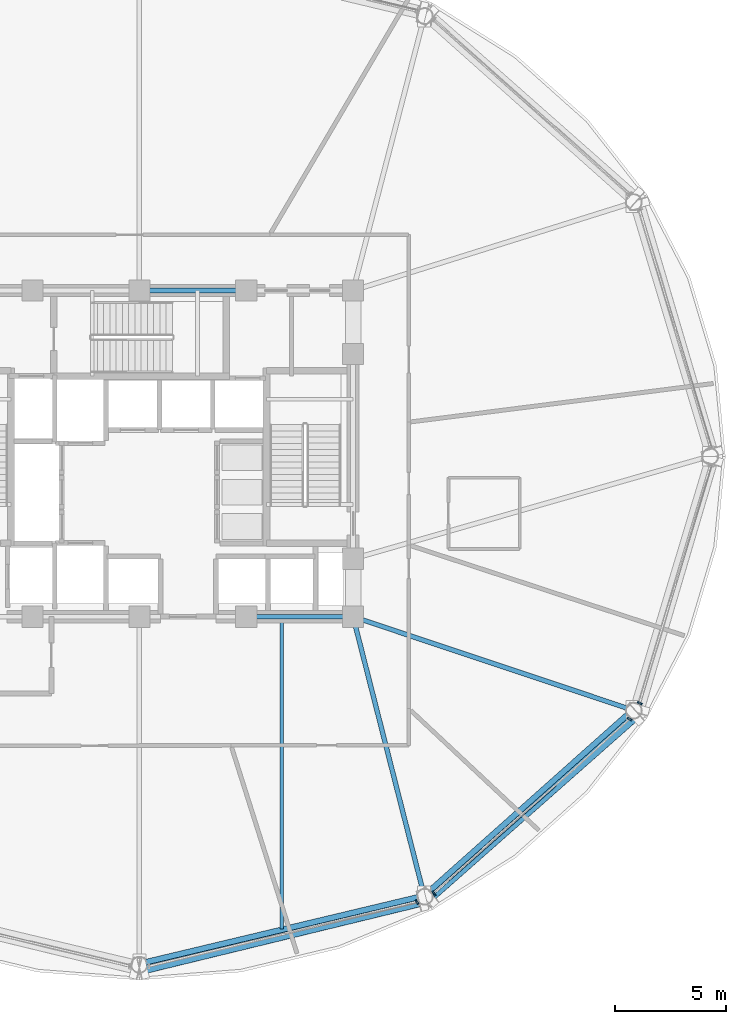
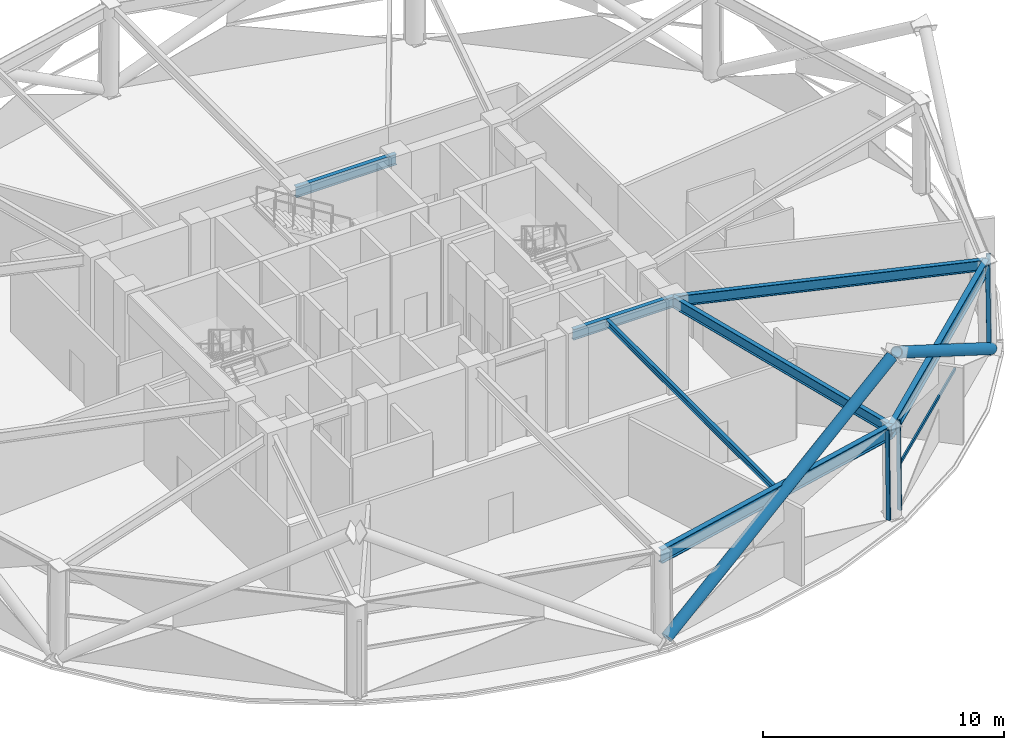
# One storey, part 4 of 17: 7 beams, 7 members, 3 elements without a shape of their own.
"""IFC4 building model written with IfcOpenShell, lengths in metres."""

from ifc_helpers import new_model, si_unit, direction, frame, origin, origin_2d, place, context, subcontext, project, spatial, hollow_rectangle, hollow_circle, i_section, extrude, material, layer, layer_set, material_profile, profile_set, type_object, element, aggregate, save


model = new_model("IFC4")

# Units and contexts
model_context = context("Model", 3, precision=1e-05, world=origin(), true_north=direction((0.0, 1.0)))
body_context = subcontext(model_context, "Body", "Model", "MODEL_VIEW")
ifc_project = project(units=[si_unit("LENGTHUNIT", "METRE"), si_unit("AREAUNIT", "SQUARE_METRE"), si_unit("VOLUMEUNIT", "CUBIC_METRE"), si_unit("PLANEANGLEUNIT", "RADIAN"), si_unit("MASSUNIT", "GRAM", prefix="KILO")], contexts=[model_context])

# Site, building, storey
site_placement = place(None, origin())
site = spatial("IfcSite", under=ifc_project, at=site_placement, CompositionType="ELEMENT")
building_placement = place(site_placement, origin())
building = spatial("IfcBuilding", under=site, at=building_placement, Name="Vantalir Tower", CompositionType="ELEMENT")
storey_placement = place(building_placement, frame((0.0, 0.0, 96.14990234375)))
storey = spatial("IfcBuildingStorey", under=building, at=storey_placement, Name="L23", CompositionType="ELEMENT", Elevation=96.14990234375)

# Beams
ifc_material_1 = material(Name="Steel S355", Category="steel")
ifc_material_profile_1 = material_profile(ifc_material_1, i_section(OverallWidth=0.166015625, OverallDepth=0.306884765625, WebThickness=0.006591796875, FlangeThickness=0.01171875, at=origin_2d()), Name="Steel S355")
ifc_profile_set_1 = profile_set([ifc_material_profile_1], Name="Steel S355")
beam_type_1 = type_object("IfcBeamType", Name="BM-JS-305x165", PredefinedType="JOIST", material=ifc_profile_set_1)
beam_1_placement = place(storey_placement, frame((37.89697265625, 3.782958984375, 4.466064453125), z_axis=(0.0, 1.0, 0.0), x_axis=(-1.0, 0.0, 0.0)))
element("IfcBeam", 1, at=beam_1_placement, inside=storey, type_object=beam_type_1, Name="L23 Composite Trim Joist 02", PredefinedType="JOIST", context=body_context, shape_type="SweptSolid", body=[
    extrude(i_section(OverallWidth=0.166015625, OverallDepth=0.306884765625, WebThickness=0.006591796875, FlangeThickness=0.01171875, at=origin_2d()), origin(), (0.0, 0.0, 1.0), 13.971923828125),
])
ifc_material_profile_2 = material_profile(ifc_material_1, i_section(OverallWidth=0.2109375, OverallDepth=0.5390625, WebThickness=0.01171875, FlangeThickness=0.018798828125, at=origin_2d()), Name="Steel S355")
ifc_profile_set_2 = profile_set([ifc_material_profile_2], Name="Steel S355")
beam_type_2 = type_object("IfcBeamType", Name="BM-RB-533x210", PredefinedType="BEAM", material=ifc_profile_set_2)
for number, where, z_axis, x_axis, name in (
    (2, (36.300048828125, 17.800048828125, 4.35009765625), (1.0, 0.0, 0.0), (0.0, 1.0, 0.0), "L23 Core Coupling Girder 04"),
    (3, (36.300048828125, 32.449951171875, 4.35009765625), (-1.0, 0.0, 0.0), (0.0, -1.0, 0.0), "L23 Core Coupling Girder 09"),
):
    element("IfcBeam", number, at=place(storey_placement, frame(where, z_axis=z_axis, x_axis=x_axis)), inside=storey, type_object=beam_type_2, Name=name, PredefinedType="BEAM", context=body_context, shape_type="SweptSolid", body=[
        extrude(i_section(OverallWidth=0.2109375, OverallDepth=0.5390625, WebThickness=0.01171875, FlangeThickness=0.018798828125, at=origin_2d()), origin(), (0.0, 0.0, 1.0), 4.800048828125),
    ])
beam_2_placement = place(storey_placement, frame((44.2939453125, 5.264892578125, 4.35009765625), z_axis=(-0.246902931602, 0.969040217105, 0.0), x_axis=(-0.969040217105, -0.246902931602, 0.0)))
element("IfcBeam", 4, at=beam_2_placement, inside=storey, type_object=beam_type_2, Name="L23 Radial Floor Beam 11", PredefinedType="BEAM", context=body_context, shape_type="SweptSolid", body=[
    extrude(i_section(OverallWidth=0.2109375, OverallDepth=0.5390625, WebThickness=0.01171875, FlangeThickness=0.018798828125, at=origin_2d()), origin(), (0.0, 0.0, 1.0), 12.935546875),
])
beam_3_placement = place(storey_placement, frame((53.659912109375, 13.60595703125, 4.35009765625), z_axis=(-0.948513537224, 0.316736593565, 0.0), x_axis=(-0.316736593565, -0.948513537224, 0.0)))
element("IfcBeam", 5, at=beam_3_placement, inside=storey, type_object=beam_type_2, Name="L23 Radial Floor Beam 12", PredefinedType="BEAM", context=body_context, shape_type="SweptSolid", body=[
    extrude(i_section(OverallWidth=0.2109375, OverallDepth=0.5390625, WebThickness=0.01171875, FlangeThickness=0.018798828125, at=origin_2d()), origin(), (0.0, 0.0, 1.0), 13.241455078125),
])
ifc_material_2 = material(Name="Steel S460", Category="steel")
ifc_material_profile_3 = material_profile(ifc_material_2, i_section(OverallWidth=0.256103515625, OverallDepth=0.693115234375, WebThickness=0.014404296875, FlangeThickness=0.023681640625, at=origin_2d()), Name="Steel S460")
ifc_profile_set_3 = profile_set([ifc_material_profile_3], Name="Steel S460")
beam_type_3 = type_object("IfcBeamType", Name="BM-RG-686x254", PredefinedType="USERDEFINED", material=ifc_profile_set_3)
beam_4_placement = place(storey_placement, frame((31.5, 2.2119140625, 4.273193359375), z_axis=(0.972689585219, 0.232109824883, 0.0), x_axis=(-0.232109824883, 0.972689585219, 0.0)))
element("IfcBeam", 6, at=beam_4_placement, inside=storey, type_object=beam_type_3, Name="L23 Circumferential Ring Girder 10", ObjectType="GIRDER", PredefinedType="USERDEFINED", context=body_context, shape_type="SweptSolid", body=[
    extrude(i_section(OverallWidth=0.256103515625, OverallDepth=0.693115234375, WebThickness=0.014404296875, FlangeThickness=0.023681640625, at=origin_2d()), origin(), (0.0, 0.0, 1.0), 13.153076171875),
])
beam_5_placement = place(storey_placement, frame((44.2939453125, 5.264892578125, 4.273193359375), z_axis=(0.746784993974, 0.665065540211, 0.0), x_axis=(-0.665065540211, 0.746784993974, 0.0)))
element("IfcBeam", 7, at=beam_5_placement, inside=storey, type_object=beam_type_3, Name="L23 Circumferential Ring Girder 11", ObjectType="GIRDER", PredefinedType="USERDEFINED", context=body_context, shape_type="SweptSolid", body=[
    extrude(i_section(OverallWidth=0.256103515625, OverallDepth=0.693115234375, WebThickness=0.014404296875, FlangeThickness=0.023681640625, at=origin_2d()), origin(), (0.0, 0.0, 1.0), 12.541748046875),
])

# Curtain wall, member
ifc_material_3 = material(Name="Champagne-silver PVDF aluminium and double-silver Low-E glass", Category="aluminium")
ifc_layer = layer(ifc_material_3, 0.22998046875)
ifc_layer_set = layer_set([ifc_layer], Name="Champagne-silver PVDF aluminium and double-silver Low-E glass")
curtain_wall_type = type_object("IfcCurtainWallType", Name="CW-SKYLOBBY", PredefinedType="USERDEFINED", material=ifc_layer_set)
curtain_wall_1_placement = place(storey_placement, origin())
curtain_wall_1 = element("IfcCurtainWall", 8, at=curtain_wall_1_placement, inside=storey, type_object=curtain_wall_type, Name="L23 Quilted Pyramid-Diamond Curtain Wall S10", ObjectType="UNITISED CURTAIN WALL", PredefinedType="USERDEFINED")
ifc_material_4 = material(Name="Champagne-silver PVDF aluminium 6063-T6", Category="aluminium")
ifc_material_profile_4 = material_profile(ifc_material_4, hollow_rectangle(XDim=0.074951171875, YDim=0.179931640625, WallThickness=0.00390625, at=origin_2d()), Name="Champagne-silver PVDF aluminium 6063-T6")
ifc_profile_set_4 = profile_set([ifc_material_profile_4], Name="Champagne-silver PVDF aluminium 6063-T6")
member_type_1 = type_object("IfcMemberType", Name="CWM-180x75", PredefinedType="MULLION", material=ifc_profile_set_4)
member_1_placement = place(storey_placement, frame((43.991943359375, 4.950927734375, 0.045166015625), z_axis=(-0.006843985782, 0.010400702802, 0.999922489616), x_axis=(-0.835364778861, -0.54969599438, 0.0)))
member_1 = element("IfcMember", 9, at=member_1_placement, type_object=member_type_1, Name="CW-L23-S10 Mullion 2", PredefinedType="MULLION", context=body_context, shape_type="SweptSolid", body=[
    extrude(hollow_rectangle(XDim=0.074951171875, YDim=0.179931640625, WallThickness=0.00390625, at=origin_2d()), origin(), (0.0, 0.0, 1.0), 4.5302734375),
])
aggregate(curtain_wall_1, [member_1])

# Curtain wall, members
curtain_wall_2_placement = place(storey_placement, origin())
curtain_wall_2 = element("IfcCurtainWall", 10, at=curtain_wall_2_placement, inside=storey, type_object=curtain_wall_type, Name="L23 Quilted Pyramid-Diamond Curtain Wall S11", ObjectType="UNITISED CURTAIN WALL", PredefinedType="USERDEFINED")
member_2_placement = place(storey_placement, frame((44.748046875, 5.345947265625, 0.045166015625), z_axis=(-0.006843985782, 0.010400702802, 0.999922489616), x_axis=(-0.835364778861, -0.54969599438, 0.0)))
member_2 = element("IfcMember", 11, at=member_2_placement, type_object=member_type_1, Name="CW-L23-S11 Mullion 1", PredefinedType="MULLION", context=body_context, shape_type="SweptSolid", body=[
    extrude(hollow_rectangle(XDim=0.074951171875, YDim=0.179931640625, WallThickness=0.00390625, at=origin_2d()), origin(), (0.0, 0.0, 1.0), 4.5302734375),
])
member_3_placement = place(storey_placement, frame((53.550048828125, 13.18994140625, 0.045166015625), z_axis=(-0.011909462812, 0.00619723178, 0.999909875446), x_axis=(-0.461605486228, -0.887085325707, 0.0)))
member_3 = element("IfcMember", 12, at=member_3_placement, type_object=member_type_1, Name="CW-L23-S11 Mullion 2", PredefinedType="MULLION", context=body_context, shape_type="SweptSolid", body=[
    extrude(hollow_rectangle(XDim=0.074951171875, YDim=0.179931640625, WallThickness=0.00390625, at=origin_2d()), origin(), (0.0, 0.0, 1.0), 4.530517578125),
])

# Curtain wall, member
curtain_wall_3_placement = place(storey_placement, origin())
curtain_wall_3 = element("IfcCurtainWall", 13, at=curtain_wall_3_placement, inside=storey, type_object=curtain_wall_type, Name="L23 Quilted Pyramid-Diamond Curtain Wall S12", ObjectType="UNITISED CURTAIN WALL", PredefinedType="USERDEFINED")
member_4_placement = place(storey_placement, frame((54.0048828125, 13.904052734375, 0.045166015625), z_axis=(-0.011909466772, 0.006143344851, 0.999910207926), x_axis=(-0.458438038271, -0.888726372438, 0.0)))
member_4 = element("IfcMember", 14, at=member_4_placement, type_object=member_type_1, Name="CW-L23-S12 Mullion 1", PredefinedType="MULLION", context=body_context, shape_type="SweptSolid", body=[
    extrude(hollow_rectangle(XDim=0.074951171875, YDim=0.179931640625, WallThickness=0.00390625, at=origin_2d()), origin(), (0.0, 0.0, 1.0), 4.530517578125),
])
aggregate(curtain_wall_3, [member_4])

# Member
ifc_material_profile_5 = material_profile(ifc_material_4, hollow_rectangle(XDim=0.074951171875, YDim=0.159912109375, WallThickness=0.00390625, at=origin_2d()), Name="Champagne-silver PVDF aluminium 6063-T6")
ifc_profile_set_5 = profile_set([ifc_material_profile_5], Name="Champagne-silver PVDF aluminium 6063-T6")
member_type_2 = type_object("IfcMemberType", Name="CWT-160x75", PredefinedType="USERDEFINED", material=ifc_profile_set_5)
member_5_placement = place(storey_placement, frame((44.73291015625, 5.368896484375, 2.31005859375), z_axis=(0.74859386801, 0.66302882349, 0.0), x_axis=(-0.66302882349, 0.74859386801, 0.0)))
member_5 = element("IfcMember", 15, at=member_5_placement, type_object=member_type_2, Name="CW-L23-S11 Pyramid Fold Ridge Transom", ObjectType="TRANSOM", PredefinedType="USERDEFINED", context=body_context, shape_type="SweptSolid", body=[
    extrude(hollow_rectangle(XDim=0.074951171875, YDim=0.159912109375, WallThickness=0.00390625, at=origin_2d()), origin(), (0.0, 0.0, 1.0), 7.304443359375),
])

aggregate(curtain_wall_2, [member_2, member_3, member_5])

# Members
ifc_material_profile_6 = material_profile(ifc_material_2, hollow_circle(Radius=0.260009765625, WallThickness=0.0380859375, at=origin_2d()), Name="Steel S460")
ifc_profile_set_6 = profile_set([ifc_material_profile_6], Name="Steel S460")
member_type_3 = type_object("IfcMemberType", Name="MEM-DB-520x38", PredefinedType="BRACE", material=ifc_profile_set_6)
member_6_placement = place(storey_placement, frame((31.681884765625, 2.010986328125, 0.196044921875), z_axis=(0.826243440353, 0.200863656864, 0.526284684012), x_axis=(-0.236224467556, 0.971698513392, 0.0)))
element("IfcMember", 16, at=member_6_placement, inside=storey, type_object=member_type_3, Name="L23 Perimeter S460 Diagrid Brace R28L", PredefinedType="BRACE", context=body_context, shape_type="SweptSolid", body=[
    extrude(hollow_circle(Radius=0.260009765625, WallThickness=0.0380859375, at=origin_2d()), origin(), (0.0, 0.0, 1.0), 15.1591796875),
])
member_7_placement = place(storey_placement, frame((53.739990234375, 13.361083984375, 0.2001953125), z_axis=(-0.628835175893, -0.555546615802, 0.543998418408), x_axis=(0.662085240215, -0.749428538747, 0.0)))
element("IfcMember", 17, at=member_7_placement, inside=storey, type_object=member_type_3, Name="L23 Perimeter S460 Diagrid Brace R34R", PredefinedType="BRACE", context=body_context, shape_type="SweptSolid", body=[
    extrude(hollow_circle(Radius=0.260009765625, WallThickness=0.0380859375, at=origin_2d()), origin(), (0.0, 0.0, 1.0), 14.650634765625),
])

save(model, "model.ifc")
